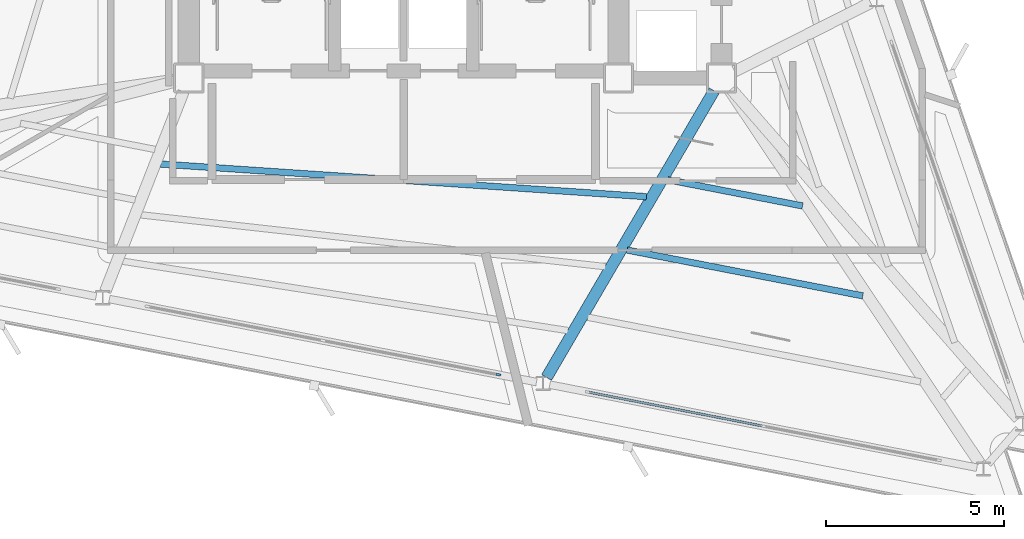
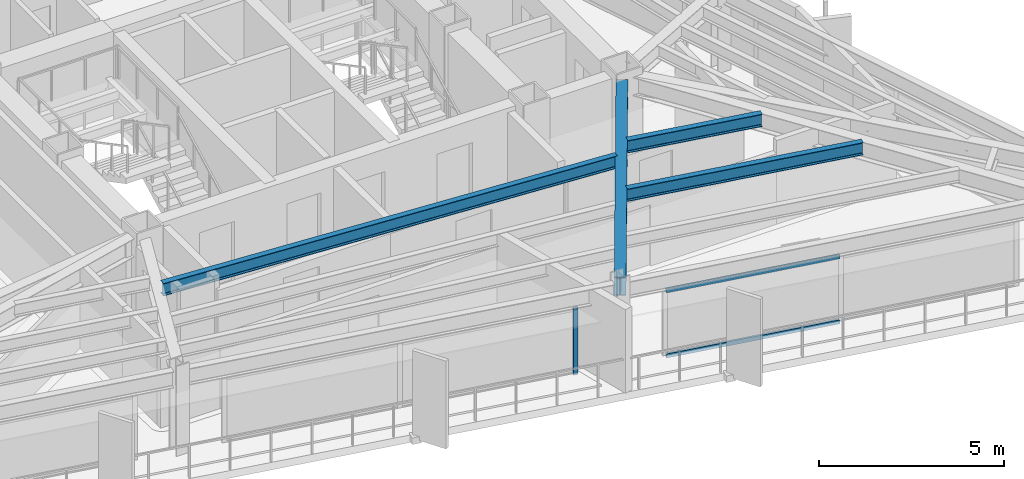
# One storey, part 3 of 13: 4 beams, 3 members, 2 elements without a shape of their own.
"""IFC4 building model written with IfcOpenShell, lengths in metres."""

from ifc_helpers import new_model, si_unit, direction, frame, origin, origin_2d, place, context, subcontext, project, spatial, rectangle, i_section, extrude, material, layer, layer_set, material_profile, profile_set, type_object, element, aggregate, save


model = new_model("IFC4")

# Units and contexts
model_context = context("Model", 3, precision=1e-05, world=origin(), true_north=direction((0.0, 1.0)))
body_context = subcontext(model_context, "Body", "Model", "MODEL_VIEW")
ifc_project = project(units=[si_unit("LENGTHUNIT", "METRE"), si_unit("AREAUNIT", "SQUARE_METRE"), si_unit("VOLUMEUNIT", "CUBIC_METRE"), si_unit("PLANEANGLEUNIT", "RADIAN"), si_unit("MASSUNIT", "GRAM", prefix="KILO")], contexts=[model_context])

# Site, building, storey
site_placement = place(None, origin())
site = spatial("IfcSite", under=ifc_project, at=site_placement, CompositionType="ELEMENT")
building_placement = place(site_placement, origin())
building = spatial("IfcBuilding", under=site, at=building_placement, Name="Rocaltana Carrier Exchange", CompositionType="ELEMENT")
storey_placement = place(building_placement, frame((0.0, 0.0, 153.280029296875)))
storey = spatial("IfcBuildingStorey", under=building, at=storey_placement, Name="L48", CompositionType="ELEMENT", Elevation=153.280029296875)

# Curtain wall, member
ifc_material_1 = material(Name="Aluminium 6063-T6", Category="aluminium")
ifc_layer = layer(ifc_material_1, 0.135009765625)
ifc_layer_set = layer_set([ifc_layer], Name="Aluminium 6063-T6")
curtain_wall_type = type_object("IfcCurtainWallType", Name="Upper-Mid Acoustic Curtain Wall CW-04", PredefinedType="NOTDEFINED", material=ifc_layer_set)
curtain_wall_1_placement = place(storey_placement, origin())
curtain_wall_1 = element("IfcCurtainWall", 1, at=curtain_wall_1_placement, inside=storey, type_object=curtain_wall_type, Name="L48 CW-04 Run CW-L48-F3S2", PredefinedType="NOTDEFINED")
ifc_material_2 = material(Name="Aluminium 6063-T6", Category="aluminium")
ifc_material_profile_1 = material_profile(ifc_material_2, rectangle(XDim=0.06494140625, YDim=0.135009765625, at=origin_2d()), Name="AL-65X135")
ifc_profile_set_1 = profile_set([ifc_material_profile_1], Name="Aluminium 6063-T6")
member_type_1 = type_object("IfcMemberType", Name="CW-04 Mullion AL-65X135", PredefinedType="MULLION", material=ifc_profile_set_1)
member_1_placement = place(storey_placement, frame((2.66845703125, -12.6552734375, 0.0), z_axis=(0.0, 0.0, 1.0), x_axis=(0.190814718784, 0.981626070913, 0.0)))
member_1 = element("IfcMember", 2, at=member_1_placement, type_object=member_type_1, Name="CW-04 mullion 3", PredefinedType="MULLION", context=body_context, shape_type="SweptSolid", body=[
    extrude(rectangle(XDim=0.06494140625, YDim=0.135009765625, at=origin_2d()), origin(), (0.0, 0.0, 1.0), 2.218017578125),
])
aggregate(curtain_wall_1, [member_1])

# Curtain wall, members
curtain_wall_2_placement = place(storey_placement, origin())
curtain_wall_2 = element("IfcCurtainWall", 3, at=curtain_wall_2_placement, inside=storey, type_object=curtain_wall_type, Name="L48 CW-04 Run CW-L48-F3S3", PredefinedType="NOTDEFINED")
ifc_material_3 = material(Name="Aluminium 6063-T6", Category="aluminium")
ifc_material_profile_2 = material_profile(ifc_material_3, rectangle(XDim=0.06494140625, YDim=0.135009765625, at=origin_2d()), Name="AL-65X135")
ifc_profile_set_2 = profile_set([ifc_material_profile_2], Name="Aluminium 6063-T6")
member_type_2 = type_object("IfcMemberType", Name="CW-04 Transom AL-65X135", PredefinedType="USERDEFINED", material=ifc_profile_set_2)
member_2_placement = place(storey_placement, frame((5.21826171875, -13.15087890625, 0.032470703125), z_axis=(0.981624593621, -0.1908223184, 0.0), x_axis=(0.1908223184, 0.981624593621, 0.0)))
member_2 = element("IfcMember", 4, at=member_2_placement, type_object=member_type_2, Name="CW-04 transom 1.1", ObjectType="TRANSOM", PredefinedType="USERDEFINED", context=body_context, shape_type="SweptSolid", body=[
    extrude(rectangle(XDim=0.06494140625, YDim=0.135009765625, at=origin_2d()), origin(), (0.0, 0.0, 1.0), 4.96923828125),
])
member_3_placement = place(storey_placement, frame((5.21826171875, -13.15087890625, 2.185546875), z_axis=(0.981624593621, -0.1908223184, 0.0), x_axis=(0.1908223184, 0.981624593621, 0.0)))
member_3 = element("IfcMember", 5, at=member_3_placement, type_object=member_type_2, Name="CW-04 transom 1.2", ObjectType="TRANSOM", PredefinedType="USERDEFINED", context=body_context, shape_type="SweptSolid", body=[
    extrude(rectangle(XDim=0.06494140625, YDim=0.135009765625, at=origin_2d()), origin(), (0.0, 0.0, 1.0), 4.96923828125),
])
aggregate(curtain_wall_2, [member_2, member_3])

# Beams
ifc_material_4 = material(Name="Steel S355", Category="steel")
ifc_material_profile_3 = material_profile(ifc_material_4, i_section(OverallWidth=0.179931640625, OverallDepth=0.4130859375, WebThickness=0.009765625, FlangeThickness=0.01611328125, FilletRadius=0.012939453125, at=origin_2d()), Name="W16X50")
ifc_profile_set_3 = profile_set([ifc_material_profile_3], Name="Steel S355")
beam_type_1 = type_object("IfcBeamType", Name="Floor Joist W16X50", PredefinedType="JOIST", material=ifc_profile_set_3)
beam_1_placement = place(storey_placement, frame((-6.839599609375, -6.724365234375, 2.58154296875), z_axis=(0.997748594569, -0.067065207337, 0.0), x_axis=(0.067065207337, 0.997748594569, 0.0)))
element("IfcBeam", 6, at=beam_1_placement, inside=storey, type_object=beam_type_1, Name="FJ-L48-10-1", PredefinedType="JOIST", context=body_context, shape_type="SweptSolid", body=[
    extrude(i_section(OverallWidth=0.179931640625, OverallDepth=0.4130859375, WebThickness=0.009765625, FlangeThickness=0.01611328125, FilletRadius=0.012939453125, at=origin_2d()), origin(), (0.0, 0.0, 1.0), 13.705810546875),
])
beam_2_placement = place(storey_placement, frame((7.44580078125, -7.167724609375, 2.58154296875), z_axis=(0.981618354608, -0.190854410211, 0.0), x_axis=(0.190854410211, 0.981618354608, 0.0)))
element("IfcBeam", 7, at=beam_2_placement, inside=storey, type_object=beam_type_1, Name="FJ-L48-11-1", PredefinedType="JOIST", context=body_context, shape_type="SweptSolid", body=[
    extrude(i_section(OverallWidth=0.179931640625, OverallDepth=0.4130859375, WebThickness=0.009765625, FlangeThickness=0.01611328125, FilletRadius=0.012939453125, at=origin_2d()), origin(), (0.0, 0.0, 1.0), 3.856689453125),
])
beam_3_placement = place(storey_placement, frame((6.29052734375, -9.145751953125, 2.58154296875), z_axis=(0.981629854201, -0.190795255028, 0.0), x_axis=(0.190795255028, 0.981629854201, 0.0)))
element("IfcBeam", 8, at=beam_3_placement, inside=storey, type_object=beam_type_1, Name="FJ-L48-11-2", PredefinedType="JOIST", context=body_context, shape_type="SweptSolid", body=[
    extrude(i_section(OverallWidth=0.179931640625, OverallDepth=0.4130859375, WebThickness=0.009765625, FlangeThickness=0.01611328125, FilletRadius=0.012939453125, at=origin_2d()), origin(), (0.0, 0.0, 1.0), 6.7626953125),
])
ifc_material_5 = material(Name="Steel S355", Category="steel")
ifc_material_profile_4 = material_profile(ifc_material_5, i_section(OverallWidth=0.323974609375, OverallDepth=0.611083984375, WebThickness=0.0126953125, FlangeThickness=0.01904296875, FilletRadius=0.01611328125, at=origin_2d()), Name="W24X104")
ifc_profile_set_4 = profile_set([ifc_material_profile_4], Name="Steel S355")
beam_type_2 = type_object("IfcBeamType", Name="Radial Girder W24X104", PredefinedType="BEAM", material=ifc_profile_set_4)
beam_4_placement = place(storey_placement, frame((8.73974609375, -4.66015625, 2.482421875), z_axis=(-0.504327123858, -0.863512682096, 0.0), x_axis=(0.863512682096, -0.504327123858, 0.0)))
element("IfcBeam", 9, at=beam_4_placement, inside=storey, type_object=beam_type_2, Name="RG-L48-11", PredefinedType="BEAM", context=body_context, shape_type="SweptSolid", body=[
    extrude(i_section(OverallWidth=0.323974609375, OverallDepth=0.611083984375, WebThickness=0.0126953125, FlangeThickness=0.01904296875, FilletRadius=0.01611328125, at=origin_2d()), origin(), (0.0, 0.0, 1.0), 9.350830078125),
])

save(model, "model.ifc")
